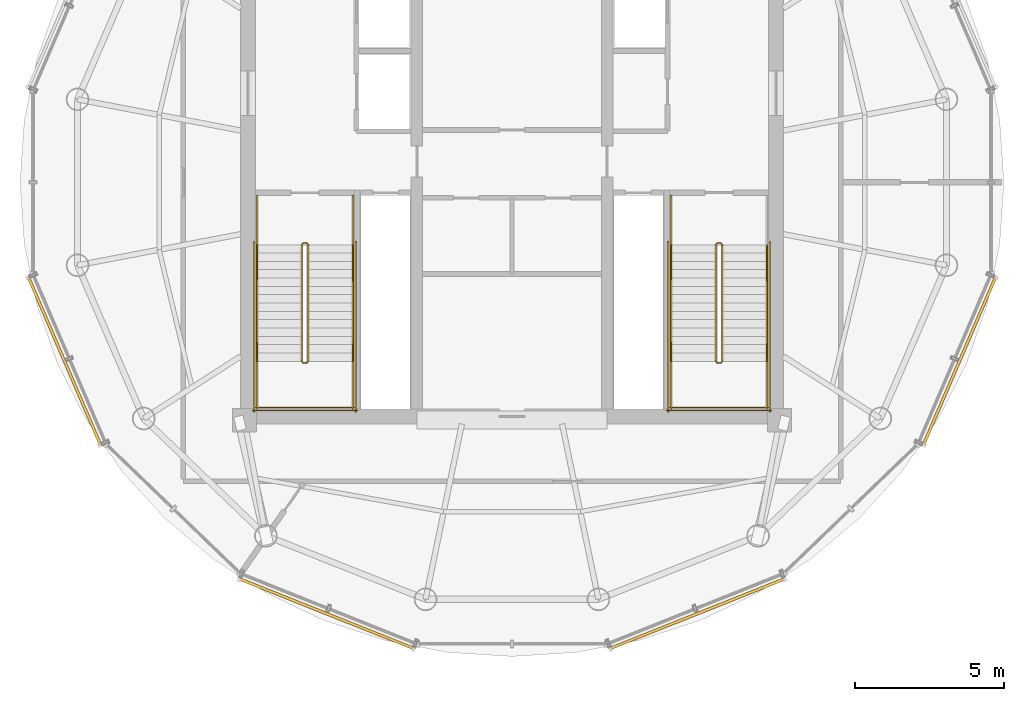
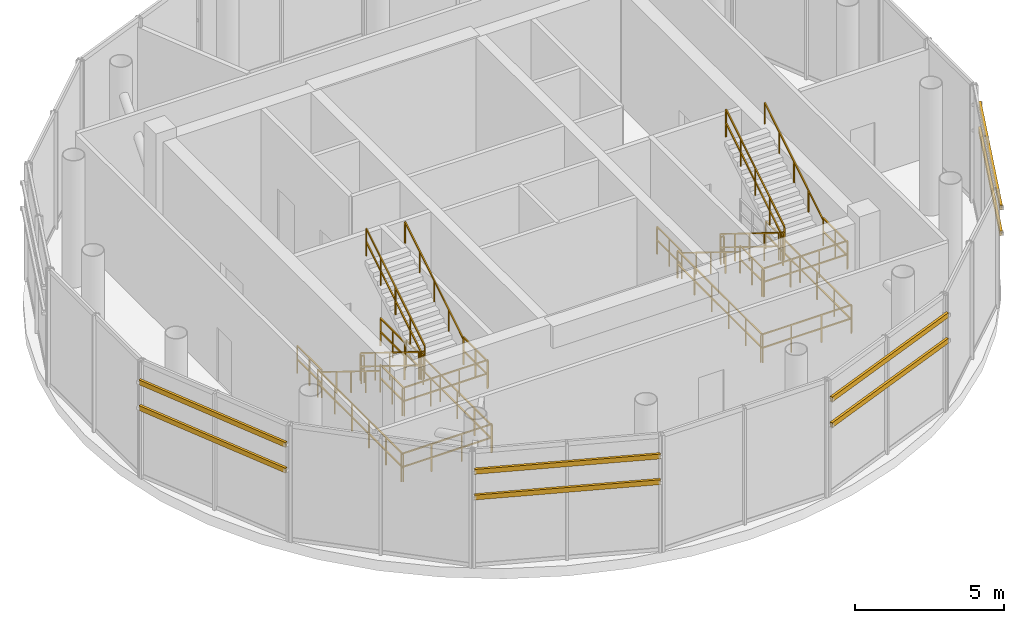
# One storey, part 13 of 14: 27 railings, 8 shading devices.
"""IFC4 building model written with IfcOpenShell, lengths in metres."""

from ifc_helpers import new_model, si_unit, direction, frame, origin, origin_2d, place, context, subcontext, project, spatial, rectangle, hollow_rectangle, extrude, source, transform, mapped, material, material_profile, profile_set, type_object, element, save


model = new_model("IFC4")

# Units and contexts
model_context = context("Model", 3, precision=1e-05, world=origin(), true_north=direction((-0.2419218956, 0.970295726276)))
body_context = subcontext(model_context, "Body", "Model", "MODEL_VIEW")
ifc_project = project(units=[si_unit("LENGTHUNIT", "METRE"), si_unit("AREAUNIT", "SQUARE_METRE"), si_unit("VOLUMEUNIT", "CUBIC_METRE"), si_unit("PLANEANGLEUNIT", "RADIAN"), si_unit("MASSUNIT", "GRAM", prefix="KILO")], contexts=[model_context])

# Site, building, storey
site_placement = place(None, origin())
site = spatial("IfcSite", under=ifc_project, at=site_placement, CompositionType="ELEMENT")
building_placement = place(site_placement, origin())
building = spatial("IfcBuilding", under=site, at=building_placement, Name="Cobrevalo Terracotta Tower", CompositionType="ELEMENT")
storey_placement = place(building_placement, frame((0.0, 0.0, 326.89990234375)))
storey = spatial("IfcBuildingStorey", under=building, at=storey_placement, Name="L84", CompositionType="ELEMENT", Elevation=326.89990234375)

# Railings
ifc_material_1 = material(Name="Brushed stainless steel", Category="steel")
railing_type_1 = type_object("IfcRailingType", Name="Stainless Steel Stair Handrail 900", PredefinedType="HANDRAIL", material=ifc_material_1)
railing_1_placement = place(storey_placement, frame((29.425048828125, 24.699951171875, 0.17333984375)))
element("IfcRailing", 1, at=railing_1_placement, inside=storey, type_object=railing_type_1, Name="L84 ST-1 stair handrail 1", PredefinedType="HANDRAIL", context=body_context, shape_type="SweptSolid", body=[
    extrude(rectangle(XDim=0.048095703125, YDim=0.048095703125, at=origin_2d()), frame((0.0, 0.0, 0.8759765625), z_axis=(0.0, -0.850251603719, 0.526376491091), x_axis=(1.0, 0.0, 0.0)), (0.0, 0.0, 1.0), 4.6103515625),
    extrude(rectangle(XDim=0.0419921875, YDim=0.0419921875, at=origin_2d()), origin(), (0.0, 0.0, 1.0), 0.851806640625),
    extrude(rectangle(XDim=0.0419921875, YDim=0.0419921875, at=origin_2d()), frame((0.0, -0.97998046875, 0.606689453125)), (0.0, 0.0, 1.0), 0.851806640625),
    extrude(rectangle(XDim=0.0419921875, YDim=0.0419921875, at=origin_2d()), frame((0.0, -1.9599609375, 1.21337890625)), (0.0, 0.0, 1.0), 0.851806640625),
    extrude(rectangle(XDim=0.0419921875, YDim=0.0419921875, at=origin_2d()), frame((0.0, -2.93994140625, 1.820068359375)), (0.0, 0.0, 1.0), 0.851806640625),
    extrude(rectangle(XDim=0.0419921875, YDim=0.0419921875, at=origin_2d()), frame((0.0, -3.919921875, 2.4267578125)), (0.0, 0.0, 1.0), 0.851806640625),
])
railing_2_placement = place(storey_placement, frame((32.64501953125, 20.780029296875, 2.7734375)))
element("IfcRailing", 2, at=railing_2_placement, inside=storey, type_object=railing_type_1, Name="L84 ST-1 stair handrail 2", PredefinedType="HANDRAIL", context=body_context, shape_type="SweptSolid", body=[
    extrude(rectangle(XDim=0.048095703125, YDim=0.048095703125, at=origin_2d()), frame((0.0, 0.0, 0.8759765625), z_axis=(0.0, 0.850251603719, 0.526376491091), x_axis=(-1.0, 0.0, 0.0)), (0.0, 0.0, 1.0), 4.6103515625),
    extrude(rectangle(XDim=0.0419921875, YDim=0.0419921875, at=origin_2d()), origin(), (0.0, 0.0, 1.0), 0.851806640625),
    extrude(rectangle(XDim=0.0419921875, YDim=0.0419921875, at=origin_2d()), frame((0.0, 0.97998046875, 0.606689453125)), (0.0, 0.0, 1.0), 0.851806640625),
    extrude(rectangle(XDim=0.0419921875, YDim=0.0419921875, at=origin_2d()), frame((0.0, 1.9599609375, 1.21337890625)), (0.0, 0.0, 1.0), 0.851806640625),
    extrude(rectangle(XDim=0.0419921875, YDim=0.0419921875, at=origin_2d()), frame((0.0, 2.93994140625, 1.820068359375)), (0.0, 0.0, 1.0), 0.851806640625),
    extrude(rectangle(XDim=0.0419921875, YDim=0.0419921875, at=origin_2d()), frame((0.0, 3.919921875, 2.4267578125)), (0.0, 0.0, 1.0), 0.851806640625),
])
railing_3_placement = place(storey_placement, frame((43.35498046875, 24.699951171875, 0.17333984375)))
element("IfcRailing", 3, at=railing_3_placement, inside=storey, type_object=railing_type_1, Name="L84 ST-2 stair handrail 1", PredefinedType="HANDRAIL", context=body_context, shape_type="SweptSolid", body=[
    extrude(rectangle(XDim=0.048095703125, YDim=0.048095703125, at=origin_2d()), frame((0.0, 0.0, 0.8759765625), z_axis=(0.0, -0.850251603719, 0.526376491091), x_axis=(1.0, 0.0, 0.0)), (0.0, 0.0, 1.0), 4.6103515625),
    extrude(rectangle(XDim=0.0419921875, YDim=0.0419921875, at=origin_2d()), origin(), (0.0, 0.0, 1.0), 0.851806640625),
    extrude(rectangle(XDim=0.0419921875, YDim=0.0419921875, at=origin_2d()), frame((0.0, -0.97998046875, 0.606689453125)), (0.0, 0.0, 1.0), 0.851806640625),
    extrude(rectangle(XDim=0.0419921875, YDim=0.0419921875, at=origin_2d()), frame((0.0, -1.9599609375, 1.21337890625)), (0.0, 0.0, 1.0), 0.851806640625),
    extrude(rectangle(XDim=0.0419921875, YDim=0.0419921875, at=origin_2d()), frame((0.0, -2.93994140625, 1.820068359375)), (0.0, 0.0, 1.0), 0.851806640625),
    extrude(rectangle(XDim=0.0419921875, YDim=0.0419921875, at=origin_2d()), frame((0.0, -3.919921875, 2.4267578125)), (0.0, 0.0, 1.0), 0.851806640625),
])
railing_4_placement = place(storey_placement, frame((46.574951171875, 20.780029296875, 2.7734375)))
element("IfcRailing", 4, at=railing_4_placement, inside=storey, type_object=railing_type_1, Name="L84 ST-2 stair handrail 2", PredefinedType="HANDRAIL", context=body_context, shape_type="SweptSolid", body=[
    extrude(rectangle(XDim=0.048095703125, YDim=0.048095703125, at=origin_2d()), frame((0.0, 0.0, 0.8759765625), z_axis=(0.0, 0.850251603719, 0.526376491091), x_axis=(-1.0, 0.0, 0.0)), (0.0, 0.0, 1.0), 4.6103515625),
    extrude(rectangle(XDim=0.0419921875, YDim=0.0419921875, at=origin_2d()), origin(), (0.0, 0.0, 1.0), 0.851806640625),
    extrude(rectangle(XDim=0.0419921875, YDim=0.0419921875, at=origin_2d()), frame((0.0, 0.97998046875, 0.606689453125)), (0.0, 0.0, 1.0), 0.851806640625),
    extrude(rectangle(XDim=0.0419921875, YDim=0.0419921875, at=origin_2d()), frame((0.0, 1.9599609375, 1.21337890625)), (0.0, 0.0, 1.0), 0.851806640625),
    extrude(rectangle(XDim=0.0419921875, YDim=0.0419921875, at=origin_2d()), frame((0.0, 2.93994140625, 1.820068359375)), (0.0, 0.0, 1.0), 0.851806640625),
    extrude(rectangle(XDim=0.0419921875, YDim=0.0419921875, at=origin_2d()), frame((0.0, 3.919921875, 2.4267578125)), (0.0, 0.0, 1.0), 0.851806640625),
])
ifc_material_2 = material(Name="Painted galvanized steel", Category="steel")
railing_type_2 = type_object("IfcRailingType", Name="Stair Well Guard Balustrade 1150", PredefinedType="GUARDRAIL", material=ifc_material_2)
railing_5_placement = place(storey_placement, frame((30.925048828125, 24.699951171875, 0.17333984375)))
element("IfcRailing", 5, at=railing_5_placement, inside=storey, type_object=railing_type_2, Name="L84 ST-1 stair guard 1", PredefinedType="GUARDRAIL", context=body_context, shape_type="SweptSolid", body=[
    extrude(rectangle(XDim=0.048095703125, YDim=0.048095703125, at=origin_2d()), frame((0.0, 0.0, 1.1259765625), z_axis=(0.0, -0.850251603719, 0.526376491091), x_axis=(1.0, 0.0, 0.0)), (0.0, 0.0, 1.0), 4.6103515625),
    extrude(rectangle(XDim=0.048095703125, YDim=0.048095703125, at=origin_2d()), frame((0.0, 0.0, 0.574951171875), z_axis=(0.0, -0.850251603719, 0.526376491091), x_axis=(1.0, 0.0, 0.0)), (0.0, 0.0, 1.0), 4.6103515625),
    extrude(rectangle(XDim=0.0419921875, YDim=0.0419921875, at=origin_2d()), origin(), (0.0, 0.0, 1.0), 1.101806640625),
    extrude(rectangle(XDim=0.0419921875, YDim=0.0419921875, at=origin_2d()), frame((0.0, -0.97998046875, 0.606689453125)), (0.0, 0.0, 1.0), 1.101806640625),
    extrude(rectangle(XDim=0.0419921875, YDim=0.0419921875, at=origin_2d()), frame((0.0, -1.9599609375, 1.21337890625)), (0.0, 0.0, 1.0), 1.101806640625),
    extrude(rectangle(XDim=0.0419921875, YDim=0.0419921875, at=origin_2d()), frame((0.0, -2.93994140625, 1.820068359375)), (0.0, 0.0, 1.0), 1.101806640625),
    extrude(rectangle(XDim=0.0419921875, YDim=0.0419921875, at=origin_2d()), frame((0.0, -3.919921875, 2.4267578125)), (0.0, 0.0, 1.0), 1.101806640625),
])
railing_6_placement = place(storey_placement, frame((30.97509765625, 20.72998046875, 2.60009765625)))
element("IfcRailing", 6, at=railing_6_placement, inside=storey, type_object=railing_type_2, Name="L84 ST-1 stair guard 2", PredefinedType="GUARDRAIL", context=body_context, shape_type="SweptSolid", body=[
    extrude(rectangle(XDim=0.048095703125, YDim=0.048095703125, at=origin_2d()), frame((0.0, 0.0, 1.1259765625), z_axis=(1.0, 0.0, 0.0), x_axis=(0.0, 1.0, 0.0)), (0.0, 0.0, 1.0), 0.119873046875),
    extrude(rectangle(XDim=0.048095703125, YDim=0.048095703125, at=origin_2d()), frame((0.0, 0.0, 0.574951171875), z_axis=(1.0, 0.0, 0.0), x_axis=(0.0, 1.0, 0.0)), (0.0, 0.0, 1.0), 0.119873046875),
    extrude(rectangle(XDim=0.0419921875, YDim=0.0419921875, at=origin_2d()), origin(), (0.0, 0.0, 1.0), 1.101806640625),
    extrude(rectangle(XDim=0.0419921875, YDim=0.0419921875, at=origin_2d()), frame((0.119873046875, 0.0, 0.0)), (0.0, 0.0, 1.0), 1.101806640625),
])
for number, where, name in (
    (7, (29.425048828125, 20.780029296875, 2.60009765625), "L84 ST-1 stair guard 3"),
    (8, (32.64501953125, 20.780029296875, 2.60009765625), "L84 ST-1 stair guard 4"),
):
    element("IfcRailing", number, at=place(storey_placement, frame(where)), inside=storey, type_object=railing_type_2, Name=name, PredefinedType="GUARDRAIL", context=body_context, shape_type="SweptSolid", body=[
        extrude(rectangle(XDim=0.048095703125, YDim=0.048095703125, at=origin_2d()), frame((0.0, 0.0, 1.1259765625), z_axis=(0.0, -1.0, 0.0), x_axis=(1.0, 0.0, 0.0)), (0.0, 0.0, 1.0), 1.60498046875),
        extrude(rectangle(XDim=0.048095703125, YDim=0.048095703125, at=origin_2d()), frame((0.0, 0.0, 0.574951171875), z_axis=(0.0, -1.0, 0.0), x_axis=(1.0, 0.0, 0.0)), (0.0, 0.0, 1.0), 1.60498046875),
        extrude(rectangle(XDim=0.0419921875, YDim=0.0419921875, at=origin_2d()), origin(), (0.0, 0.0, 1.0), 1.101806640625),
        extrude(rectangle(XDim=0.0419921875, YDim=0.0419921875, at=origin_2d()), frame((0.0, -0.802490234375, 0.0)), (0.0, 0.0, 1.0), 1.101806640625),
        extrude(rectangle(XDim=0.0419921875, YDim=0.0419921875, at=origin_2d()), frame((0.0, -1.60498046875, 0.0)), (0.0, 0.0, 1.0), 1.101806640625),
    ])
railing_7_placement = place(storey_placement, frame((29.375, 19.22509765625, 2.60009765625)))
element("IfcRailing", 9, at=railing_7_placement, inside=storey, type_object=railing_type_2, Name="L84 ST-1 stair guard 5", PredefinedType="GUARDRAIL", context=body_context, shape_type="SweptSolid", body=[
    extrude(rectangle(XDim=0.048095703125, YDim=0.048095703125, at=origin_2d()), frame((0.0, 0.0, 1.1259765625), z_axis=(1.0, 0.0, 0.0), x_axis=(0.0, 1.0, 0.0)), (0.0, 0.0, 1.0), 3.320068359375),
    extrude(rectangle(XDim=0.048095703125, YDim=0.048095703125, at=origin_2d()), frame((0.0, 0.0, 0.574951171875), z_axis=(1.0, 0.0, 0.0), x_axis=(0.0, 1.0, 0.0)), (0.0, 0.0, 1.0), 3.320068359375),
    extrude(rectangle(XDim=0.0419921875, YDim=0.0419921875, at=origin_2d()), origin(), (0.0, 0.0, 1.0), 1.101806640625),
    extrude(rectangle(XDim=0.0419921875, YDim=0.0419921875, at=origin_2d()), frame((1.106689453125, 0.0, 0.0)), (0.0, 0.0, 1.0), 1.101806640625),
    extrude(rectangle(XDim=0.0419921875, YDim=0.0419921875, at=origin_2d()), frame((2.21337890625, 0.0, 0.0)), (0.0, 0.0, 1.0), 1.101806640625),
    extrude(rectangle(XDim=0.0419921875, YDim=0.0419921875, at=origin_2d()), frame((3.320068359375, 0.0, 0.0)), (0.0, 0.0, 1.0), 1.101806640625),
])
railing_8_placement = place(storey_placement, frame((31.14501953125, 20.780029296875, 2.7734375)))
element("IfcRailing", 10, at=railing_8_placement, inside=storey, type_object=railing_type_2, Name="L84 ST-1 stair guard 6", PredefinedType="GUARDRAIL", context=body_context, shape_type="SweptSolid", body=[
    extrude(rectangle(XDim=0.048095703125, YDim=0.048095703125, at=origin_2d()), frame((0.0, 0.0, 1.1259765625), z_axis=(0.0, 0.850251603719, 0.526376491091), x_axis=(-1.0, 0.0, 0.0)), (0.0, 0.0, 1.0), 4.6103515625),
    extrude(rectangle(XDim=0.048095703125, YDim=0.048095703125, at=origin_2d()), frame((0.0, 0.0, 0.574951171875), z_axis=(0.0, 0.850251603719, 0.526376491091), x_axis=(-1.0, 0.0, 0.0)), (0.0, 0.0, 1.0), 4.6103515625),
    extrude(rectangle(XDim=0.0419921875, YDim=0.0419921875, at=origin_2d()), origin(), (0.0, 0.0, 1.0), 1.101806640625),
    extrude(rectangle(XDim=0.0419921875, YDim=0.0419921875, at=origin_2d()), frame((0.0, 0.97998046875, 0.606689453125)), (0.0, 0.0, 1.0), 1.101806640625),
    extrude(rectangle(XDim=0.0419921875, YDim=0.0419921875, at=origin_2d()), frame((0.0, 1.9599609375, 1.21337890625)), (0.0, 0.0, 1.0), 1.101806640625),
    extrude(rectangle(XDim=0.0419921875, YDim=0.0419921875, at=origin_2d()), frame((0.0, 2.93994140625, 1.820068359375)), (0.0, 0.0, 1.0), 1.101806640625),
    extrude(rectangle(XDim=0.0419921875, YDim=0.0419921875, at=origin_2d()), frame((0.0, 3.919921875, 2.4267578125)), (0.0, 0.0, 1.0), 1.101806640625),
])
railing_9_placement = place(storey_placement, frame((30.97509765625, 24.75, 0.0)))
element("IfcRailing", 11, at=railing_9_placement, inside=storey, type_object=railing_type_2, Name="L84 ST-1 stair guard 7", PredefinedType="GUARDRAIL", context=body_context, shape_type="SweptSolid", body=[
    extrude(rectangle(XDim=0.048095703125, YDim=0.048095703125, at=origin_2d()), frame((0.0, 0.0, 1.1259765625), z_axis=(1.0, 0.0, 0.0), x_axis=(0.0, 1.0, 0.0)), (0.0, 0.0, 1.0), 0.119873046875),
    extrude(rectangle(XDim=0.048095703125, YDim=0.048095703125, at=origin_2d()), frame((0.0, 0.0, 0.574951171875), z_axis=(1.0, 0.0, 0.0), x_axis=(0.0, 1.0, 0.0)), (0.0, 0.0, 1.0), 0.119873046875),
    extrude(rectangle(XDim=0.0419921875, YDim=0.0419921875, at=origin_2d()), origin(), (0.0, 0.0, 1.0), 1.101806640625),
    extrude(rectangle(XDim=0.0419921875, YDim=0.0419921875, at=origin_2d()), frame((0.119873046875, 0.0, 0.0)), (0.0, 0.0, 1.0), 1.101806640625),
])
for number, where, name in (
    (12, (29.425048828125, 26.35009765625, 0.0), "L84 ST-1 stair guard 8"),
    (13, (32.64501953125, 26.35009765625, 0.0), "L84 ST-1 stair guard 9"),
):
    element("IfcRailing", number, at=place(storey_placement, frame(where)), inside=storey, type_object=railing_type_2, Name=name, PredefinedType="GUARDRAIL", context=body_context, shape_type="SweptSolid", body=[
        extrude(rectangle(XDim=0.048095703125, YDim=0.048095703125, at=origin_2d()), frame((0.0, 0.0, 1.1259765625), z_axis=(0.0, -1.0, 0.0), x_axis=(1.0, 0.0, 0.0)), (0.0, 0.0, 1.0), 1.650146484375),
        extrude(rectangle(XDim=0.048095703125, YDim=0.048095703125, at=origin_2d()), frame((0.0, 0.0, 0.574951171875), z_axis=(0.0, -1.0, 0.0), x_axis=(1.0, 0.0, 0.0)), (0.0, 0.0, 1.0), 1.650146484375),
        extrude(rectangle(XDim=0.0419921875, YDim=0.0419921875, at=origin_2d()), origin(), (0.0, 0.0, 1.0), 1.101806640625),
        extrude(rectangle(XDim=0.0419921875, YDim=0.0419921875, at=origin_2d()), frame((0.0, -0.8251953125, 0.0)), (0.0, 0.0, 1.0), 1.101806640625),
        extrude(rectangle(XDim=0.0419921875, YDim=0.0419921875, at=origin_2d()), frame((0.0, -1.650146484375, 0.0)), (0.0, 0.0, 1.0), 1.101806640625),
    ])
for number, where, name in (
    (14, (29.324951171875, 24.800048828125, 0.0), "L84 ST-1 stair guard 10"),
    (15, (32.7451171875, 24.800048828125, 0.0), "L84 ST-1 stair guard 11"),
):
    element("IfcRailing", number, at=place(storey_placement, frame(where)), inside=storey, type_object=railing_type_2, Name=name, PredefinedType="GUARDRAIL", context=body_context, shape_type="SweptSolid", body=[
        extrude(rectangle(XDim=0.048095703125, YDim=0.048095703125, at=origin_2d()), frame((0.0, 0.0, 1.1259765625), z_axis=(0.0, -1.0, 0.0), x_axis=(1.0, 0.0, 0.0)), (0.0, 0.0, 1.0), 5.72509765625),
        extrude(rectangle(XDim=0.048095703125, YDim=0.048095703125, at=origin_2d()), frame((0.0, 0.0, 0.574951171875), z_axis=(0.0, -1.0, 0.0), x_axis=(1.0, 0.0, 0.0)), (0.0, 0.0, 1.0), 5.72509765625),
        extrude(rectangle(XDim=0.0419921875, YDim=0.0419921875, at=origin_2d()), origin(), (0.0, 0.0, 1.0), 1.101806640625),
        extrude(rectangle(XDim=0.0419921875, YDim=0.0419921875, at=origin_2d()), frame((0.0, -1.14501953125, 0.0)), (0.0, 0.0, 1.0), 1.101806640625),
        extrude(rectangle(XDim=0.0419921875, YDim=0.0419921875, at=origin_2d()), frame((0.0, -2.2900390625, 0.0)), (0.0, 0.0, 1.0), 1.101806640625),
        extrude(rectangle(XDim=0.0419921875, YDim=0.0419921875, at=origin_2d()), frame((0.0, -3.43505859375, 0.0)), (0.0, 0.0, 1.0), 1.101806640625),
        extrude(rectangle(XDim=0.0419921875, YDim=0.0419921875, at=origin_2d()), frame((0.0, -4.580078125, 0.0)), (0.0, 0.0, 1.0), 1.101806640625),
        extrude(rectangle(XDim=0.0419921875, YDim=0.0419921875, at=origin_2d()), frame((0.0, -5.72509765625, 0.0)), (0.0, 0.0, 1.0), 1.101806640625),
    ])
railing_10_placement = place(storey_placement, frame((29.27490234375, 19.125, 0.0)))
element("IfcRailing", 16, at=railing_10_placement, inside=storey, type_object=railing_type_2, Name="L84 ST-1 stair guard 12", PredefinedType="GUARDRAIL", context=body_context, shape_type="SweptSolid", body=[
    extrude(rectangle(XDim=0.048095703125, YDim=0.048095703125, at=origin_2d()), frame((0.0, 0.0, 1.1259765625), z_axis=(1.0, 0.0, 0.0), x_axis=(0.0, 1.0, 0.0)), (0.0, 0.0, 1.0), 3.52001953125),
    extrude(rectangle(XDim=0.048095703125, YDim=0.048095703125, at=origin_2d()), frame((0.0, 0.0, 0.574951171875), z_axis=(1.0, 0.0, 0.0), x_axis=(0.0, 1.0, 0.0)), (0.0, 0.0, 1.0), 3.52001953125),
    extrude(rectangle(XDim=0.0419921875, YDim=0.0419921875, at=origin_2d()), origin(), (0.0, 0.0, 1.0), 1.101806640625),
    extrude(rectangle(XDim=0.0419921875, YDim=0.0419921875, at=origin_2d()), frame((1.17333984375, 0.0, 0.0)), (0.0, 0.0, 1.0), 1.101806640625),
    extrude(rectangle(XDim=0.0419921875, YDim=0.0419921875, at=origin_2d()), frame((2.3466796875, 0.0, 0.0)), (0.0, 0.0, 1.0), 1.101806640625),
    extrude(rectangle(XDim=0.0419921875, YDim=0.0419921875, at=origin_2d()), frame((3.52001953125, 0.0, 0.0)), (0.0, 0.0, 1.0), 1.101806640625),
])
railing_11_placement = place(storey_placement, frame((44.85498046875, 24.699951171875, 0.17333984375)))
element("IfcRailing", 17, at=railing_11_placement, inside=storey, type_object=railing_type_2, Name="L84 ST-2 stair guard 1", PredefinedType="GUARDRAIL", context=body_context, shape_type="SweptSolid", body=[
    extrude(rectangle(XDim=0.048095703125, YDim=0.048095703125, at=origin_2d()), frame((0.0, 0.0, 1.1259765625), z_axis=(0.0, -0.850251603719, 0.526376491091), x_axis=(1.0, 0.0, 0.0)), (0.0, 0.0, 1.0), 4.6103515625),
    extrude(rectangle(XDim=0.048095703125, YDim=0.048095703125, at=origin_2d()), frame((0.0, 0.0, 0.574951171875), z_axis=(0.0, -0.850251603719, 0.526376491091), x_axis=(1.0, 0.0, 0.0)), (0.0, 0.0, 1.0), 4.6103515625),
    extrude(rectangle(XDim=0.0419921875, YDim=0.0419921875, at=origin_2d()), origin(), (0.0, 0.0, 1.0), 1.101806640625),
    extrude(rectangle(XDim=0.0419921875, YDim=0.0419921875, at=origin_2d()), frame((0.0, -0.97998046875, 0.606689453125)), (0.0, 0.0, 1.0), 1.101806640625),
    extrude(rectangle(XDim=0.0419921875, YDim=0.0419921875, at=origin_2d()), frame((0.0, -1.9599609375, 1.21337890625)), (0.0, 0.0, 1.0), 1.101806640625),
    extrude(rectangle(XDim=0.0419921875, YDim=0.0419921875, at=origin_2d()), frame((0.0, -2.93994140625, 1.820068359375)), (0.0, 0.0, 1.0), 1.101806640625),
    extrude(rectangle(XDim=0.0419921875, YDim=0.0419921875, at=origin_2d()), frame((0.0, -3.919921875, 2.4267578125)), (0.0, 0.0, 1.0), 1.101806640625),
])
railing_12_placement = place(storey_placement, frame((44.905029296875, 20.72998046875, 2.60009765625)))
element("IfcRailing", 18, at=railing_12_placement, inside=storey, type_object=railing_type_2, Name="L84 ST-2 stair guard 2", PredefinedType="GUARDRAIL", context=body_context, shape_type="SweptSolid", body=[
    extrude(rectangle(XDim=0.048095703125, YDim=0.048095703125, at=origin_2d()), frame((0.0, 0.0, 1.1259765625), z_axis=(1.0, 0.0, 0.0), x_axis=(0.0, 1.0, 0.0)), (0.0, 0.0, 1.0), 0.119873046875),
    extrude(rectangle(XDim=0.048095703125, YDim=0.048095703125, at=origin_2d()), frame((0.0, 0.0, 0.574951171875), z_axis=(1.0, 0.0, 0.0), x_axis=(0.0, 1.0, 0.0)), (0.0, 0.0, 1.0), 0.119873046875),
    extrude(rectangle(XDim=0.0419921875, YDim=0.0419921875, at=origin_2d()), origin(), (0.0, 0.0, 1.0), 1.101806640625),
    extrude(rectangle(XDim=0.0419921875, YDim=0.0419921875, at=origin_2d()), frame((0.119873046875, 0.0, 0.0)), (0.0, 0.0, 1.0), 1.101806640625),
])
for number, where, name in (
    (19, (43.35498046875, 20.780029296875, 2.60009765625), "L84 ST-2 stair guard 3"),
    (20, (46.574951171875, 20.780029296875, 2.60009765625), "L84 ST-2 stair guard 4"),
):
    element("IfcRailing", number, at=place(storey_placement, frame(where)), inside=storey, type_object=railing_type_2, Name=name, PredefinedType="GUARDRAIL", context=body_context, shape_type="SweptSolid", body=[
        extrude(rectangle(XDim=0.048095703125, YDim=0.048095703125, at=origin_2d()), frame((0.0, 0.0, 1.1259765625), z_axis=(0.0, -1.0, 0.0), x_axis=(1.0, 0.0, 0.0)), (0.0, 0.0, 1.0), 1.60498046875),
        extrude(rectangle(XDim=0.048095703125, YDim=0.048095703125, at=origin_2d()), frame((0.0, 0.0, 0.574951171875), z_axis=(0.0, -1.0, 0.0), x_axis=(1.0, 0.0, 0.0)), (0.0, 0.0, 1.0), 1.60498046875),
        extrude(rectangle(XDim=0.0419921875, YDim=0.0419921875, at=origin_2d()), origin(), (0.0, 0.0, 1.0), 1.101806640625),
        extrude(rectangle(XDim=0.0419921875, YDim=0.0419921875, at=origin_2d()), frame((0.0, -0.802490234375, 0.0)), (0.0, 0.0, 1.0), 1.101806640625),
        extrude(rectangle(XDim=0.0419921875, YDim=0.0419921875, at=origin_2d()), frame((0.0, -1.60498046875, 0.0)), (0.0, 0.0, 1.0), 1.101806640625),
    ])
railing_13_placement = place(storey_placement, frame((43.304931640625, 19.22509765625, 2.60009765625)))
element("IfcRailing", 21, at=railing_13_placement, inside=storey, type_object=railing_type_2, Name="L84 ST-2 stair guard 5", PredefinedType="GUARDRAIL", context=body_context, shape_type="SweptSolid", body=[
    extrude(rectangle(XDim=0.048095703125, YDim=0.048095703125, at=origin_2d()), frame((0.0, 0.0, 1.1259765625), z_axis=(1.0, 0.0, 0.0), x_axis=(0.0, 1.0, 0.0)), (0.0, 0.0, 1.0), 3.320068359375),
    extrude(rectangle(XDim=0.048095703125, YDim=0.048095703125, at=origin_2d()), frame((0.0, 0.0, 0.574951171875), z_axis=(1.0, 0.0, 0.0), x_axis=(0.0, 1.0, 0.0)), (0.0, 0.0, 1.0), 3.320068359375),
    extrude(rectangle(XDim=0.0419921875, YDim=0.0419921875, at=origin_2d()), origin(), (0.0, 0.0, 1.0), 1.101806640625),
    extrude(rectangle(XDim=0.0419921875, YDim=0.0419921875, at=origin_2d()), frame((1.106689453125, 0.0, 0.0)), (0.0, 0.0, 1.0), 1.101806640625),
    extrude(rectangle(XDim=0.0419921875, YDim=0.0419921875, at=origin_2d()), frame((2.21337890625, 0.0, 0.0)), (0.0, 0.0, 1.0), 1.101806640625),
    extrude(rectangle(XDim=0.0419921875, YDim=0.0419921875, at=origin_2d()), frame((3.320068359375, 0.0, 0.0)), (0.0, 0.0, 1.0), 1.101806640625),
])
railing_14_placement = place(storey_placement, frame((45.074951171875, 20.780029296875, 2.7734375)))
element("IfcRailing", 22, at=railing_14_placement, inside=storey, type_object=railing_type_2, Name="L84 ST-2 stair guard 6", PredefinedType="GUARDRAIL", context=body_context, shape_type="SweptSolid", body=[
    extrude(rectangle(XDim=0.048095703125, YDim=0.048095703125, at=origin_2d()), frame((0.0, 0.0, 1.1259765625), z_axis=(0.0, 0.850251603719, 0.526376491091), x_axis=(-1.0, 0.0, 0.0)), (0.0, 0.0, 1.0), 4.6103515625),
    extrude(rectangle(XDim=0.048095703125, YDim=0.048095703125, at=origin_2d()), frame((0.0, 0.0, 0.574951171875), z_axis=(0.0, 0.850251603719, 0.526376491091), x_axis=(-1.0, 0.0, 0.0)), (0.0, 0.0, 1.0), 4.6103515625),
    extrude(rectangle(XDim=0.0419921875, YDim=0.0419921875, at=origin_2d()), origin(), (0.0, 0.0, 1.0), 1.101806640625),
    extrude(rectangle(XDim=0.0419921875, YDim=0.0419921875, at=origin_2d()), frame((0.0, 0.97998046875, 0.606689453125)), (0.0, 0.0, 1.0), 1.101806640625),
    extrude(rectangle(XDim=0.0419921875, YDim=0.0419921875, at=origin_2d()), frame((0.0, 1.9599609375, 1.21337890625)), (0.0, 0.0, 1.0), 1.101806640625),
    extrude(rectangle(XDim=0.0419921875, YDim=0.0419921875, at=origin_2d()), frame((0.0, 2.93994140625, 1.820068359375)), (0.0, 0.0, 1.0), 1.101806640625),
    extrude(rectangle(XDim=0.0419921875, YDim=0.0419921875, at=origin_2d()), frame((0.0, 3.919921875, 2.4267578125)), (0.0, 0.0, 1.0), 1.101806640625),
])
railing_15_placement = place(storey_placement, frame((44.905029296875, 24.75, 0.0)))
element("IfcRailing", 23, at=railing_15_placement, inside=storey, type_object=railing_type_2, Name="L84 ST-2 stair guard 7", PredefinedType="GUARDRAIL", context=body_context, shape_type="SweptSolid", body=[
    extrude(rectangle(XDim=0.048095703125, YDim=0.048095703125, at=origin_2d()), frame((0.0, 0.0, 1.1259765625), z_axis=(1.0, 0.0, 0.0), x_axis=(0.0, 1.0, 0.0)), (0.0, 0.0, 1.0), 0.119873046875),
    extrude(rectangle(XDim=0.048095703125, YDim=0.048095703125, at=origin_2d()), frame((0.0, 0.0, 0.574951171875), z_axis=(1.0, 0.0, 0.0), x_axis=(0.0, 1.0, 0.0)), (0.0, 0.0, 1.0), 0.119873046875),
    extrude(rectangle(XDim=0.0419921875, YDim=0.0419921875, at=origin_2d()), origin(), (0.0, 0.0, 1.0), 1.101806640625),
    extrude(rectangle(XDim=0.0419921875, YDim=0.0419921875, at=origin_2d()), frame((0.119873046875, 0.0, 0.0)), (0.0, 0.0, 1.0), 1.101806640625),
])
railing_16_placement = place(storey_placement, frame((43.35498046875, 26.35009765625, 0.0)))
element("IfcRailing", 24, at=railing_16_placement, inside=storey, type_object=railing_type_2, Name="L84 ST-2 stair guard 8", PredefinedType="GUARDRAIL", context=body_context, shape_type="SweptSolid", body=[
    extrude(rectangle(XDim=0.048095703125, YDim=0.048095703125, at=origin_2d()), frame((0.0, 0.0, 1.1259765625), z_axis=(0.0, -1.0, 0.0), x_axis=(1.0, 0.0, 0.0)), (0.0, 0.0, 1.0), 1.650146484375),
    extrude(rectangle(XDim=0.048095703125, YDim=0.048095703125, at=origin_2d()), frame((0.0, 0.0, 0.574951171875), z_axis=(0.0, -1.0, 0.0), x_axis=(1.0, 0.0, 0.0)), (0.0, 0.0, 1.0), 1.650146484375),
    extrude(rectangle(XDim=0.0419921875, YDim=0.0419921875, at=origin_2d()), origin(), (0.0, 0.0, 1.0), 1.101806640625),
    extrude(rectangle(XDim=0.0419921875, YDim=0.0419921875, at=origin_2d()), frame((0.0, -0.8251953125, 0.0)), (0.0, 0.0, 1.0), 1.101806640625),
    extrude(rectangle(XDim=0.0419921875, YDim=0.0419921875, at=origin_2d()), frame((0.0, -1.650146484375, 0.0)), (0.0, 0.0, 1.0), 1.101806640625),
])
for number, where, name in (
    (25, (43.2548828125, 24.800048828125, 0.0), "L84 ST-2 stair guard 10"),
    (26, (46.675048828125, 24.800048828125, 0.0), "L84 ST-2 stair guard 11"),
):
    element("IfcRailing", number, at=place(storey_placement, frame(where)), inside=storey, type_object=railing_type_2, Name=name, PredefinedType="GUARDRAIL", context=body_context, shape_type="SweptSolid", body=[
        extrude(rectangle(XDim=0.048095703125, YDim=0.048095703125, at=origin_2d()), frame((0.0, 0.0, 1.1259765625), z_axis=(0.0, -1.0, 0.0), x_axis=(1.0, 0.0, 0.0)), (0.0, 0.0, 1.0), 5.72509765625),
        extrude(rectangle(XDim=0.048095703125, YDim=0.048095703125, at=origin_2d()), frame((0.0, 0.0, 0.574951171875), z_axis=(0.0, -1.0, 0.0), x_axis=(1.0, 0.0, 0.0)), (0.0, 0.0, 1.0), 5.72509765625),
        extrude(rectangle(XDim=0.0419921875, YDim=0.0419921875, at=origin_2d()), origin(), (0.0, 0.0, 1.0), 1.101806640625),
        extrude(rectangle(XDim=0.0419921875, YDim=0.0419921875, at=origin_2d()), frame((0.0, -1.14501953125, 0.0)), (0.0, 0.0, 1.0), 1.101806640625),
        extrude(rectangle(XDim=0.0419921875, YDim=0.0419921875, at=origin_2d()), frame((0.0, -2.2900390625, 0.0)), (0.0, 0.0, 1.0), 1.101806640625),
        extrude(rectangle(XDim=0.0419921875, YDim=0.0419921875, at=origin_2d()), frame((0.0, -3.43505859375, 0.0)), (0.0, 0.0, 1.0), 1.101806640625),
        extrude(rectangle(XDim=0.0419921875, YDim=0.0419921875, at=origin_2d()), frame((0.0, -4.580078125, 0.0)), (0.0, 0.0, 1.0), 1.101806640625),
        extrude(rectangle(XDim=0.0419921875, YDim=0.0419921875, at=origin_2d()), frame((0.0, -5.72509765625, 0.0)), (0.0, 0.0, 1.0), 1.101806640625),
    ])
railing_17_placement = place(storey_placement, frame((43.205078125, 19.125, 0.0)))
element("IfcRailing", 27, at=railing_17_placement, inside=storey, type_object=railing_type_2, Name="L84 ST-2 stair guard 12", PredefinedType="GUARDRAIL", context=body_context, shape_type="SweptSolid", body=[
    extrude(rectangle(XDim=0.048095703125, YDim=0.048095703125, at=origin_2d()), frame((0.0, 0.0, 1.1259765625), z_axis=(1.0, 0.0, 0.0), x_axis=(0.0, 1.0, 0.0)), (0.0, 0.0, 1.0), 3.52001953125),
    extrude(rectangle(XDim=0.048095703125, YDim=0.048095703125, at=origin_2d()), frame((0.0, 0.0, 0.574951171875), z_axis=(1.0, 0.0, 0.0), x_axis=(0.0, 1.0, 0.0)), (0.0, 0.0, 1.0), 3.52001953125),
    extrude(rectangle(XDim=0.0419921875, YDim=0.0419921875, at=origin_2d()), origin(), (0.0, 0.0, 1.0), 1.101806640625),
    extrude(rectangle(XDim=0.0419921875, YDim=0.0419921875, at=origin_2d()), frame((1.17333984375, 0.0, 0.0)), (0.0, 0.0, 1.0), 1.101806640625),
    extrude(rectangle(XDim=0.0419921875, YDim=0.0419921875, at=origin_2d()), frame((2.3466796875, 0.0, 0.0)), (0.0, 0.0, 1.0), 1.101806640625),
    extrude(rectangle(XDim=0.0419921875, YDim=0.0419921875, at=origin_2d()), frame((3.52001953125, 0.0, 0.0)), (0.0, 0.0, 1.0), 1.101806640625),
])

# Shading devices
ifc_material_3 = material(Name="Extruded fired architectural terracotta", Category="masonry")
ifc_material_profile = material_profile(ifc_material_3, hollow_rectangle(XDim=0.094970703125, YDim=0.199951171875, WallThickness=0.01611328125, at=origin_2d()), Name="BAGUETTE 95x200")
ifc_profile_set = profile_set([ifc_material_profile], Name="Extruded fired architectural terracotta")
shading_device_type = type_object("IfcShadingDeviceType", Name="Upper-Zone Terracotta Baguette Screen 95x200", PredefinedType="USERDEFINED", material=ifc_profile_set)
shared_shape_1 = source(origin(), body_context, "Body", "SweptSolid", [
    extrude(hollow_rectangle(XDim=0.094970703125, YDim=0.199951171875, WallThickness=0.01611328125, at=origin_2d()), origin(), (0.0, 0.0, 1.0), 6.13134765625),
])
for number, where, z_axis, x_axis, name in (
    (28, (21.736083984375, 23.603759765625, 2.963623046875), (0.394961883587, -0.918697507623, 0.0), (0.918697507623, 0.394961883587, 0.0), "CW-CRN-L84-S09 horizontal terracotta baguette 1"),
    (29, (21.736083984375, 23.603759765625, 4.015380859375), (0.394961883587, -0.918697507623, 0.0), (0.918697507623, 0.394961883587, 0.0), "CW-CRN-L84-S09 horizontal terracotta baguette 2"),
    (30, (51.84228515625, 17.970947265625, 2.963623046875), (0.394961883587, 0.918697507623, 0.0), (-0.918697507623, 0.394961883587, 0.0), "CW-CRN-L84-S15 horizontal terracotta baguette 1"),
    (31, (51.84228515625, 17.970947265625, 4.015380859375), (0.394961883587, 0.918697507623, 0.0), (-0.918697507623, 0.394961883587, 0.0), "CW-CRN-L84-S15 horizontal terracotta baguette 2"),
):
    element("IfcShadingDevice", number, at=place(storey_placement, frame(where, z_axis=z_axis, x_axis=x_axis)), inside=storey, type_object=shading_device_type, Name=name, ObjectType="BAGUETTE", PredefinedType="USERDEFINED", context=body_context, shape_type="MappedRepresentation", body=[
        mapped(shared_shape_1, transform((0.0, 0.0, 0.0), scale=1.0)),
    ])
shared_shape_2 = source(origin(), body_context, "Body", "SweptSolid", [
    extrude(hollow_rectangle(XDim=0.094970703125, YDim=0.199951171875, WallThickness=0.01611328125, at=origin_2d()), origin(), (0.0, 0.0, 1.0), 6.296875),
])
for number, where, z_axis, x_axis, name in (
    (32, (28.842529296875, 13.455810546875, 2.963623046875), (0.928770528093, -0.37065523893, 0.0), (0.37065523893, 0.928770528093, 0.0), "CW-CRN-L84-S11 horizontal terracotta baguette 1"),
    (33, (28.842529296875, 13.455810546875, 4.015380859375), (0.928770528093, -0.37065523893, 0.0), (0.37065523893, 0.928770528093, 0.0), "CW-CRN-L84-S11 horizontal terracotta baguette 2"),
    (34, (41.30908203125, 11.121826171875, 2.963623046875), (0.928770528093, 0.37065523893, 0.0), (-0.37065523893, 0.928770528093, 0.0), "CW-CRN-L84-S13 horizontal terracotta baguette 1"),
    (35, (41.30908203125, 11.121826171875, 4.015380859375), (0.928770528093, 0.37065523893, 0.0), (-0.37065523893, 0.928770528093, 0.0), "CW-CRN-L84-S13 horizontal terracotta baguette 2"),
):
    element("IfcShadingDevice", number, at=place(storey_placement, frame(where, z_axis=z_axis, x_axis=x_axis)), inside=storey, type_object=shading_device_type, Name=name, ObjectType="BAGUETTE", PredefinedType="USERDEFINED", context=body_context, shape_type="MappedRepresentation", body=[
        mapped(shared_shape_2, transform((0.0, 0.0, 0.0), scale=1.0)),
    ])

save(model, "model.ifc")
